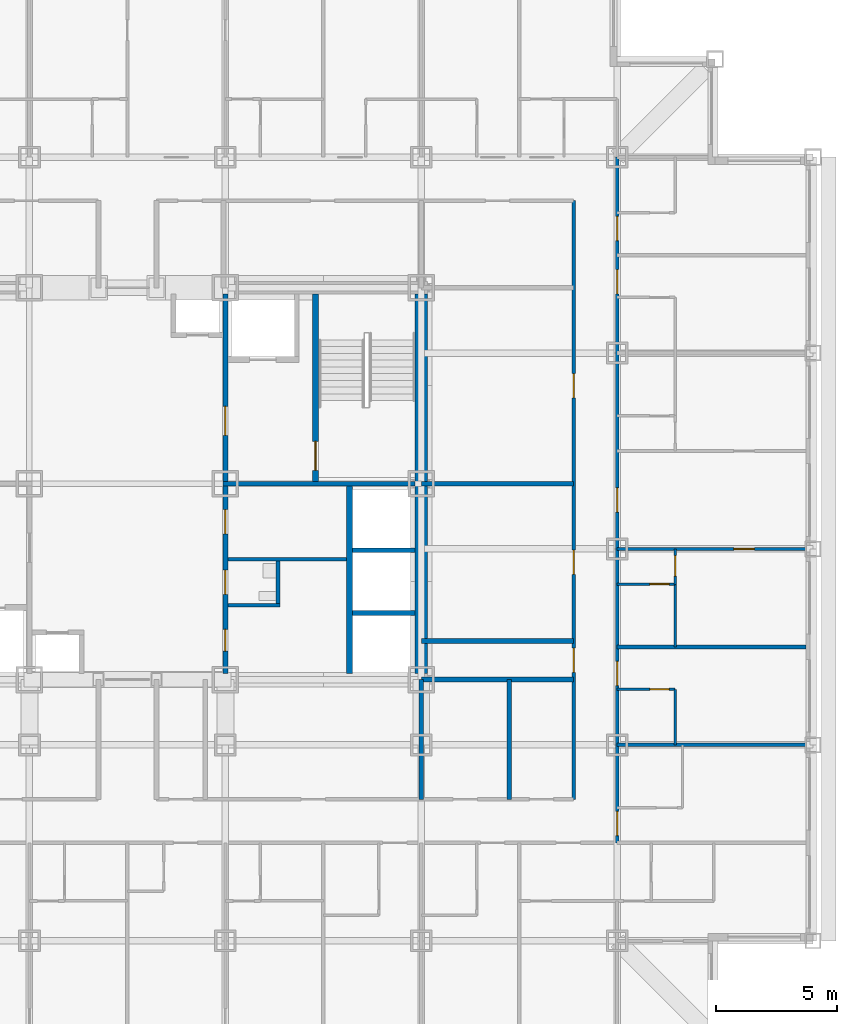
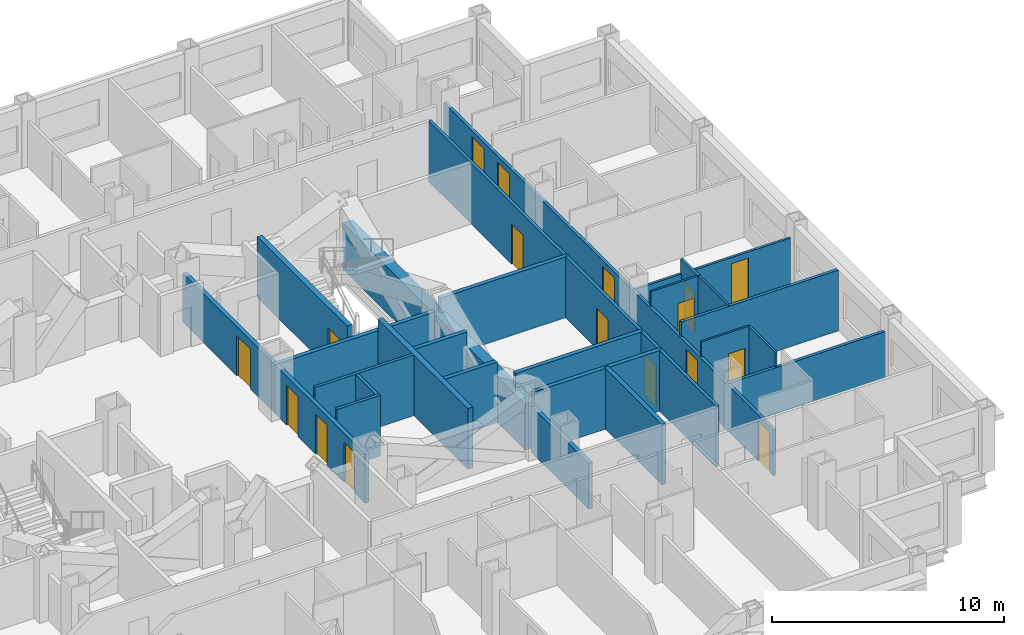
# One storey, part 8 of 14: 26 walls, 17 doors, 17 openings.
"""IFC4 building model written with IfcOpenShell, lengths in metres."""

from ifc_helpers import new_model, si_unit, direction, frame, frame_2d, origin, place, context, subcontext, project, spatial, rectangle, extrude, material, layer, layer_set, type_object, element, fill, save


model = new_model("IFC4")

# Units and contexts
model_context = context("Model", 3, precision=1e-05, world=origin(), true_north=direction((0.0, 1.0)))
body_context = subcontext(model_context, "Body", "Model", "MODEL_VIEW")
ifc_project = project(units=[si_unit("LENGTHUNIT", "METRE"), si_unit("AREAUNIT", "SQUARE_METRE"), si_unit("VOLUMEUNIT", "CUBIC_METRE"), si_unit("PLANEANGLEUNIT", "RADIAN"), si_unit("MASSUNIT", "GRAM", prefix="KILO")], contexts=[model_context])

# Site, building, storey
site_placement = place(None, origin())
site = spatial("IfcSite", under=ifc_project, at=site_placement, CompositionType="ELEMENT")
building_placement = place(site_placement, origin())
building = spatial("IfcBuilding", under=site, at=building_placement, Name="Kopane Lantern Tower", CompositionType="ELEMENT")
storey_placement = place(building_placement, frame((0.0, 0.0, 151.0)))
storey = spatial("IfcBuildingStorey", under=building, at=storey_placement, Name="L39", CompositionType="ELEMENT", Elevation=151.0)

# Wall, opening, door
ifc_material_1 = material(Name="Gypsum board on steel studs", Category="steel")
ifc_layer_1 = layer(ifc_material_1, 0.1201171875)
ifc_layer_set_1 = layer_set([ifc_layer_1], Name="APARTMENT INTERNAL WALL 120")
wall_type_1 = type_object("IfcWallType", Name="APARTMENT INTERNAL WALL 120", PredefinedType="PARTITIONING", material=ifc_layer_set_1)
wall_1_placement = place(storey_placement, frame((48.60009765625, 29.699951171875, 0.0), z_axis=(0.0, 0.0, 1.0), x_axis=(1.0, 0.0, 0.0)))
wall_1 = element("IfcWall", 1, at=wall_1_placement, inside=storey, type_object=wall_type_1, Name="Apartment Internal Wall 120 L39", PredefinedType="PARTITIONING", context=body_context, shape_type="SweptSolid", body=[
    extrude(rectangle(XDim=7.7998046875, YDim=0.1201171875, at=frame_2d((3.89990234375, 0.0))), origin(), (0.0, 0.0, 1.0), 2.420166015625),
])
opening_1_placement = place(wall_1_placement, frame((4.824951171875, 0.0, 0.0)))
opening_1 = element("IfcOpeningElement", 2, at=opening_1_placement, cuts=wall_1, Name="Opening L39-069", PredefinedType="OPENING", context=body_context, shape_type="SweptSolid", body=[
    extrude(rectangle(XDim=0.85009765625, YDim=2.10009765625, at=frame_2d((0.425048828125, 1.050048828125))), frame((0.0, 0.070068359375, 0.0), z_axis=(0.0, -1.0, 0.0), x_axis=(1.0, 0.0, 0.0)), (0.0, 0.0, 1.0), 0.14013671875),
])
ifc_material_2 = material(Name="Timber door set", Category="wood")
door_type_1 = type_object("IfcDoorType", Name="DOOR D4 850x2100", OperationType="SINGLE_SWING_LEFT", PredefinedType="DOOR", material=ifc_material_2)
door_1_placement = place(opening_1_placement, origin())
door_1 = element("IfcDoor", 3, at=door_1_placement, inside=storey, type_object=door_type_1, Name="Door L39-069", OperationType="SINGLE_SWING_RIGHT", OverallHeight=2.10009765625, OverallWidth=0.85009765625, PredefinedType="DOOR", context=body_context, shape_type="SweptSolid", body=[
    extrude(rectangle(XDim=0.85009765625, YDim=2.10009765625, at=frame_2d((0.425048828125, 1.050048828125))), frame((0.0, 0.02490234375, 0.0), z_axis=(0.0, -1.0, 0.0), x_axis=(1.0, 0.0, 0.0)), (0.0, 0.0, 1.0), 0.050048828125),
])
fill(opening_1, door_1)

wall_2_placement = place(storey_placement, frame((51.0, 29.699951171875, 0.0), z_axis=(0.0, 0.0, 1.0), x_axis=(0.0, -1.0, 0.0)))
wall_2 = element("IfcWall", 4, at=wall_2_placement, inside=storey, type_object=wall_type_1, Name="Apartment Internal Wall 120 L39", PredefinedType="PARTITIONING", context=body_context, shape_type="SweptSolid", body=[
    extrude(rectangle(XDim=1.4599609375, YDim=0.1201171875, at=frame_2d((0.72998046875, 0.0))), origin(), (0.0, 0.0, 1.0), 3.18994140625),
])
opening_2_placement = place(wall_2_placement, frame((0.27490234375, 0.0, 0.0)))
opening_2 = element("IfcOpeningElement", 5, at=opening_2_placement, cuts=wall_2, Name="Opening L39-101", PredefinedType="OPENING", context=body_context, shape_type="SweptSolid", body=[
    extrude(rectangle(XDim=0.85009765625, YDim=2.10009765625, at=frame_2d((0.425048828125, 1.050048828125))), frame((0.0, 0.070068359375, 0.0), z_axis=(0.0, -1.0, 0.0), x_axis=(1.0, 0.0, 0.0)), (0.0, 0.0, 1.0), 0.14013671875),
])
door_2_placement = place(opening_2_placement, origin())
door_2 = element("IfcDoor", 6, at=door_2_placement, inside=storey, type_object=door_type_1, Name="Door L39-101", OperationType="SINGLE_SWING_LEFT", OverallHeight=2.10009765625, OverallWidth=0.85009765625, PredefinedType="DOOR", context=body_context, shape_type="SweptSolid", body=[
    extrude(rectangle(XDim=0.85009765625, YDim=2.10009765625, at=frame_2d((0.425048828125, 1.050048828125))), frame((0.0, 0.02490234375, 0.0), z_axis=(0.0, -1.0, 0.0), x_axis=(1.0, 0.0, 0.0)), (0.0, 0.0, 1.0), 0.050048828125),
])
fill(opening_2, door_2)

# Wall
ifc_material_3 = material(Name="Moisture-resistant board on steel studs", Category="steel")
ifc_layer_2 = layer(ifc_material_3, 0.10009765625)
ifc_layer_set_2 = layer_set([ifc_layer_2], Name="BATHROOM WALL 100")
wall_type_2 = type_object("IfcWallType", Name="BATHROOM WALL 100", PredefinedType="PARTITIONING", material=ifc_layer_set_2)
wall_3_placement = place(storey_placement, frame((51.0, 21.60009765625, 0.0), z_axis=(0.0, 0.0, 1.0), x_axis=(0.0, 1.0, 0.0)))
element("IfcWall", 7, at=wall_3_placement, inside=storey, type_object=wall_type_2, Name="Bathroom Wall 100 L39", PredefinedType="PARTITIONING", context=body_context, shape_type="SweptSolid", body=[
    extrude(rectangle(XDim=2.2998046875, YDim=0.10009765625, at=frame_2d((1.14990234375, 0.0))), origin(), (0.0, 0.0, 1.0), 3.18994140625),
])

# Wall, opening, door
wall_4_placement = place(storey_placement, frame((48.60009765625, 23.89990234375, 0.0), z_axis=(0.0, 0.0, 1.0), x_axis=(1.0, 0.0, 0.0)))
wall_4 = element("IfcWall", 8, at=wall_4_placement, inside=storey, type_object=wall_type_2, Name="Bathroom Wall 100 L39", PredefinedType="PARTITIONING", context=body_context, shape_type="SweptSolid", body=[
    extrude(rectangle(XDim=2.39990234375, YDim=0.10009765625, at=frame_2d((1.199951171875, 0.0))), origin(), (0.0, 0.0, 1.0), 3.18994140625),
])
opening_3_placement = place(wall_4_placement, frame((1.35009765625, 0.0, 0.0)))
opening_3 = element("IfcOpeningElement", 9, at=opening_3_placement, cuts=wall_4, Name="Opening L39-065", PredefinedType="OPENING", context=body_context, shape_type="SweptSolid", body=[
    extrude(rectangle(XDim=0.800048828125, YDim=2.10009765625, at=frame_2d((0.39990234375, 1.050048828125))), frame((0.0, 0.06005859375, 0.0), z_axis=(0.0, -1.0, 0.0), x_axis=(1.0, 0.0, 0.0)), (0.0, 0.0, 1.0), 0.1201171875),
])
ifc_material_4 = material(Name="Timber door set", Category="wood")
door_type_2 = type_object("IfcDoorType", Name="DOOR D2 800x2100", OperationType="SINGLE_SWING_LEFT", PredefinedType="DOOR", material=ifc_material_4)
door_3_placement = place(opening_3_placement, origin())
door_3 = element("IfcDoor", 10, at=door_3_placement, inside=storey, type_object=door_type_2, Name="Door L39-065", OperationType="SINGLE_SWING_LEFT", OverallHeight=2.10009765625, OverallWidth=0.800048828125, PredefinedType="DOOR", context=body_context, shape_type="SweptSolid", body=[
    extrude(rectangle(XDim=0.800048828125, YDim=2.10009765625, at=frame_2d((0.39990234375, 1.050048828125))), frame((0.0, 0.02490234375, 0.0), z_axis=(0.0, -1.0, 0.0), x_axis=(1.0, 0.0, 0.0)), (0.0, 0.0, 1.0), 0.050048828125),
])
fill(opening_3, door_3)

# Wall
wall_5_placement = place(storey_placement, frame((51.0, 25.64990234375, 0.0), z_axis=(0.0, 0.0, 1.0), x_axis=(0.0, 1.0, 0.0)))
element("IfcWall", 11, at=wall_5_placement, inside=storey, type_object=wall_type_2, Name="Bathroom Wall 100 L39", PredefinedType="PARTITIONING", context=body_context, shape_type="SweptSolid", body=[
    extrude(rectangle(XDim=2.60009765625, YDim=0.10009765625, at=frame_2d((1.300048828125, 0.0))), origin(), (0.0, 0.0, 1.0), 3.18994140625),
])

# Wall, opening, door
wall_6_placement = place(storey_placement, frame((48.60009765625, 28.25, 0.0), z_axis=(0.0, 0.0, 1.0), x_axis=(1.0, 0.0, 0.0)))
wall_6 = element("IfcWall", 12, at=wall_6_placement, inside=storey, type_object=wall_type_2, Name="Bathroom Wall 100 L39", PredefinedType="PARTITIONING", context=body_context, shape_type="SweptSolid", body=[
    extrude(rectangle(XDim=2.39990234375, YDim=0.10009765625, at=frame_2d((1.199951171875, 0.0))), origin(), (0.0, 0.0, 1.0), 3.18994140625),
])
opening_4_placement = place(wall_6_placement, frame((1.35009765625, 0.0, 0.0)))
opening_4 = element("IfcOpeningElement", 13, at=opening_4_placement, cuts=wall_6, Name="Opening L39-068", PredefinedType="OPENING", context=body_context, shape_type="SweptSolid", body=[
    extrude(rectangle(XDim=0.800048828125, YDim=2.10009765625, at=frame_2d((0.39990234375, 1.050048828125))), frame((0.0, 0.06005859375, 0.0), z_axis=(0.0, -1.0, 0.0), x_axis=(1.0, 0.0, 0.0)), (0.0, 0.0, 1.0), 0.1201171875),
])
door_4_placement = place(opening_4_placement, origin())
door_4 = element("IfcDoor", 14, at=door_4_placement, inside=storey, type_object=door_type_2, Name="Door L39-068", OperationType="SINGLE_SWING_RIGHT", OverallHeight=2.10009765625, OverallWidth=0.800048828125, PredefinedType="DOOR", context=body_context, shape_type="SweptSolid", body=[
    extrude(rectangle(XDim=0.800048828125, YDim=2.10009765625, at=frame_2d((0.39990234375, 1.050048828125))), frame((0.0, 0.02490234375, 0.0), z_axis=(0.0, -1.0, 0.0), x_axis=(1.0, 0.0, 0.0)), (0.0, 0.0, 1.0), 0.050048828125),
])
fill(opening_4, door_4)

# Walls
ifc_material_5 = material(Name="Gypsum shaft wall EI 120", Category="gypsum")
ifc_layer_3 = layer(ifc_material_5, 0.5)
ifc_layer_set_3 = layer_set([ifc_layer_3], Name="CORE PERIMETER WALL 500 EI 120")
wall_type_3 = type_object("IfcWallType", Name="CORE PERIMETER WALL 500 EI 120", PredefinedType="SOLIDWALL", material=ifc_layer_set_3)
wall_7_placement = place(storey_placement, frame((40.5, 24.550048828125, 0.0), z_axis=(0.0, 0.0, 1.0), x_axis=(0.0, 1.0, 0.0)))
element("IfcWall", 15, at=wall_7_placement, inside=storey, type_object=wall_type_3, Name="Core shaft wall L39 PE", PredefinedType="SOLIDWALL", context=body_context, shape_type="SweptSolid", body=[
    extrude(rectangle(XDim=15.699951171875, YDim=0.5, at=frame_2d((7.85009765625, 0.0))), origin(), (0.0, 0.0, 1.0), 2.420166015625),
])
ifc_material_6 = material(Name="Gypsum partition EI 60", Category="gypsum")
ifc_layer_4 = layer(ifc_material_6, 0.14990234375)
ifc_layer_set_4 = layer_set([ifc_layer_4], Name="CORE ROOM PARTITION 150 EI 60")
wall_type_4 = type_object("IfcWallType", Name="CORE ROOM PARTITION 150 EI 60", PredefinedType="PARTITIONING", material=ifc_layer_set_4)
wall_8_placement = place(storey_placement, frame((32.5, 27.375, 0.0), z_axis=(0.0, 0.0, 1.0), x_axis=(1.0, 0.0, 0.0)))
element("IfcWall", 16, at=wall_8_placement, inside=storey, type_object=wall_type_4, Name="Core room partition L39 E1", PredefinedType="PARTITIONING", context=body_context, shape_type="SweptSolid", body=[
    extrude(rectangle(XDim=2.14990234375, YDim=0.14990234375, at=frame_2d((1.074951171875, 0.0))), origin(), (0.0, 0.0, 1.0), 3.18994140625),
])
wall_9_placement = place(storey_placement, frame((32.5, 29.27490234375, 0.0), z_axis=(0.0, 0.0, 1.0), x_axis=(1.0, 0.0, 0.0)))
element("IfcWall", 17, at=wall_9_placement, inside=storey, type_object=wall_type_4, Name="Core room partition L39 E2", PredefinedType="PARTITIONING", context=body_context, shape_type="SweptSolid", body=[
    extrude(rectangle(XDim=4.89990234375, YDim=0.14990234375, at=frame_2d((2.449951171875, 0.0))), origin(), (0.0, 0.0, 1.0), 3.18994140625),
])
wall_10_placement = place(storey_placement, frame((34.574951171875, 27.449951171875, 0.0), z_axis=(0.0, 0.0, 1.0), x_axis=(0.0, 1.0, 0.0)))
element("IfcWall", 18, at=wall_10_placement, inside=storey, type_object=wall_type_4, Name="Core room partition L39 EB1", PredefinedType="PARTITIONING", context=body_context, shape_type="SweptSolid", body=[
    extrude(rectangle(XDim=1.75, YDim=0.14990234375, at=frame_2d((0.875, 0.0))), origin(), (0.0, 0.0, 1.0), 3.18994140625),
])

# Wall, openings, doors
ifc_material_7 = material(Name="Gypsum partition EI 60", Category="gypsum")
ifc_layer_5 = layer(ifc_material_7, 0.199951171875)
ifc_layer_set_5 = layer_set([ifc_layer_5], Name="CORE ROOM WALL 200 EI 60")
wall_type_5 = type_object("IfcWallType", Name="CORE ROOM WALL 200 EI 60", PredefinedType="PARTITIONING", material=ifc_layer_set_5)
wall_11_placement = place(storey_placement, frame((32.39990234375, 24.550048828125, 0.0), z_axis=(0.0, 0.0, 1.0), x_axis=(0.0, 1.0, 0.0)))
wall_11 = element("IfcWall", 19, at=wall_11_placement, inside=storey, type_object=wall_type_5, Name="Core room wall L39 XE", PredefinedType="PARTITIONING", context=body_context, shape_type="SweptSolid", body=[
    extrude(rectangle(XDim=7.75, YDim=0.199951171875, at=frame_2d((3.875, 0.0))), origin(), (0.0, 0.0, 1.0), 2.577880859375),
])
opening_5_placement = place(wall_11_placement, frame((0.925048828125, 0.0, 0.0)))
opening_5 = element("IfcOpeningElement", 20, at=opening_5_placement, cuts=wall_11, Name="Opening 39.C20", PredefinedType="OPENING", context=body_context, shape_type="SweptSolid", body=[
    extrude(rectangle(XDim=0.89990234375, YDim=2.10009765625, at=frame_2d((0.449951171875, 1.050048828125))), frame((0.0, 0.10986328125, 0.0), z_axis=(0.0, -1.0, 0.0), x_axis=(1.0, 0.0, 0.0)), (0.0, 0.0, 1.0), 0.219970703125),
])
opening_6_placement = place(wall_11_placement, frame((3.27490234375, 0.0, 0.0)))
opening_6 = element("IfcOpeningElement", 21, at=opening_6_placement, cuts=wall_11, Name="Opening 39.C21", PredefinedType="OPENING", context=body_context, shape_type="SweptSolid", body=[
    extrude(rectangle(XDim=1.0, YDim=2.10009765625, at=frame_2d((0.5, 1.050048828125))), frame((0.0, 0.10986328125, 0.0), z_axis=(0.0, -1.0, 0.0), x_axis=(1.0, 0.0, 0.0)), (0.0, 0.0, 1.0), 0.219970703125),
])
opening_7_placement = place(wall_11_placement, frame((5.77490234375, 0.0, 0.0)))
opening_7 = element("IfcOpeningElement", 22, at=opening_7_placement, cuts=wall_11, Name="Opening 39.C22", PredefinedType="OPENING", context=body_context, shape_type="SweptSolid", body=[
    extrude(rectangle(XDim=1.0, YDim=2.10009765625, at=frame_2d((0.5, 1.050048828125))), frame((0.0, 0.10986328125, 0.0), z_axis=(0.0, -1.0, 0.0), x_axis=(1.0, 0.0, 0.0)), (0.0, 0.0, 1.0), 0.219970703125),
])
ifc_material_8 = material(Name="Steel door set", Category="steel")
door_type_3 = type_object("IfcDoorType", Name="CORE ROOM DOOR 1000x2100 FD30S", OperationType="SINGLE_SWING_RIGHT", PredefinedType="DOOR", material=ifc_material_8)
door_5_placement = place(opening_6_placement, origin())
door_5 = element("IfcDoor", 23, at=door_5_placement, inside=storey, type_object=door_type_3, Name="Door Staff WC L39", OperationType="SINGLE_SWING_LEFT", OverallHeight=2.10009765625, OverallWidth=1.0, PredefinedType="DOOR", context=body_context, shape_type="SweptSolid", body=[
    extrude(rectangle(XDim=1.0, YDim=2.10009765625, at=frame_2d((0.5, 1.050048828125))), frame((0.0, 0.02490234375, 0.0), z_axis=(0.0, -1.0, 0.0), x_axis=(1.0, 0.0, 0.0)), (0.0, 0.0, 1.0), 0.050048828125),
])
fill(opening_6, door_5)
door_6_placement = place(opening_7_placement, origin())
door_6 = element("IfcDoor", 24, at=door_6_placement, inside=storey, type_object=door_type_3, Name="Door Butler pantry L39", OperationType="SINGLE_SWING_RIGHT", OverallHeight=2.10009765625, OverallWidth=1.0, PredefinedType="DOOR", context=body_context, shape_type="SweptSolid", body=[
    extrude(rectangle(XDim=1.0, YDim=2.10009765625, at=frame_2d((0.5, 1.050048828125))), frame((0.0, 0.02490234375, 0.0), z_axis=(0.0, -1.0, 0.0), x_axis=(1.0, 0.0, 0.0)), (0.0, 0.0, 1.0), 0.050048828125),
])
fill(opening_7, door_6)
ifc_material_9 = material(Name="Steel door set", Category="steel")
door_type_4 = type_object("IfcDoorType", Name="CORE ROOM DOOR 900x2100 FD60", OperationType="SINGLE_SWING_LEFT", PredefinedType="DOOR", material=ifc_material_9)
door_7_placement = place(opening_5_placement, origin())
door_7 = element("IfcDoor", 25, at=door_7_placement, inside=storey, type_object=door_type_4, Name="Door Luggage store L39", OperationType="SINGLE_SWING_LEFT", OverallHeight=2.10009765625, OverallWidth=0.89990234375, PredefinedType="DOOR", context=body_context, shape_type="SweptSolid", body=[
    extrude(rectangle(XDim=0.89990234375, YDim=2.10009765625, at=frame_2d((0.449951171875, 1.050048828125))), frame((0.0, 0.02490234375, 0.0), z_axis=(0.0, -1.0, 0.0), x_axis=(1.0, 0.0, 0.0)), (0.0, 0.0, 1.0), 0.050048828125),
])
fill(opening_5, door_7)

# Wall
ifc_material_10 = material(Name="Gypsum shaft wall EI 120", Category="gypsum")
ifc_layer_6 = layer(ifc_material_10, 0.25)
ifc_layer_set_6 = layer_set([ifc_layer_6], Name="CORE SHAFT WALL 250 EI 120")
wall_type_6 = type_object("IfcWallType", Name="CORE SHAFT WALL 250 EI 120", PredefinedType="SOLIDWALL", material=ifc_layer_set_6)
wall_12_placement = place(storey_placement, frame((37.52490234375, 24.550048828125, 0.0), z_axis=(0.0, 0.0, 1.0), x_axis=(0.0, 1.0, 0.0)))
element("IfcWall", 26, at=wall_12_placement, inside=storey, type_object=wall_type_6, Name="Core shaft wall L39 XLR", PredefinedType="SOLIDWALL", context=body_context, shape_type="SweptSolid", body=[
    extrude(rectangle(XDim=7.75, YDim=0.25, at=frame_2d((3.875, 0.0))), origin(), (0.0, 0.0, 1.0), 3.18994140625),
])

# Wall, opening, door
wall_13_placement = place(storey_placement, frame((36.125, 32.5, 0.0), z_axis=(0.0, 0.0, 1.0), x_axis=(0.0, 1.0, 0.0)))
wall_13 = element("IfcWall", 27, at=wall_13_placement, inside=storey, type_object=wall_type_6, Name="Core shaft wall L39 XST2", PredefinedType="SOLIDWALL", context=body_context, shape_type="SweptSolid", body=[
    extrude(rectangle(XDim=7.75, YDim=0.25, at=frame_2d((3.875, 0.0))), origin(), (0.0, 0.0, 1.0), 3.18994140625),
])
opening_8_placement = place(wall_13_placement, frame((0.449951171875, 0.0, 0.0)))
opening_8 = element("IfcOpeningElement", 28, at=opening_8_placement, cuts=wall_13, Name="Opening 39.SD2", PredefinedType="OPENING", context=body_context, shape_type="SweptSolid", body=[
    extrude(rectangle(XDim=1.199951171875, YDim=2.10009765625, at=frame_2d((0.60009765625, 1.050048828125))), frame((0.0, 0.135009765625, 0.0), z_axis=(0.0, -1.0, 0.0), x_axis=(1.0, 0.0, 0.0)), (0.0, 0.0, 1.0), 0.27001953125),
])
ifc_material_11 = material(Name="Steel door set", Category="steel")
door_type_5 = type_object("IfcDoorType", Name="STAIR DOOR 1200x2100 FD60S", OperationType="SINGLE_SWING_LEFT", PredefinedType="DOOR", material=ifc_material_11)
door_8_placement = place(opening_8_placement, origin())
door_8 = element("IfcDoor", 29, at=door_8_placement, inside=storey, type_object=door_type_5, Name="Stair door ST2 L39", OperationType="SINGLE_SWING_RIGHT", OverallHeight=2.10009765625, OverallWidth=1.199951171875, PredefinedType="DOOR", context=body_context, shape_type="SweptSolid", body=[
    extrude(rectangle(XDim=1.199951171875, YDim=2.10009765625, at=frame_2d((0.60009765625, 1.050048828125))), frame((0.0, 0.02490234375, 0.0), z_axis=(0.0, -1.0, 0.0), x_axis=(1.0, 0.0, 0.0)), (0.0, 0.0, 1.0), 0.050048828125),
])
fill(opening_8, door_8)

# Wall, openings, doors
ifc_material_12 = material(Name="Gypsum board on steel studs", Category="steel")
ifc_layer_7 = layer(ifc_material_12, 0.14990234375)
ifc_layer_set_7 = layer_set([ifc_layer_7], Name="CORRIDOR WALL 150 EI 60")
wall_type_7 = type_object("IfcWallType", Name="CORRIDOR WALL 150 EI 60", PredefinedType="PARTITIONING", material=ifc_layer_set_7)
wall_14_placement = place(storey_placement, frame((48.60009765625, 17.550048828125, 0.0), z_axis=(0.0, 0.0, 1.0), x_axis=(0.0, 1.0, 0.0)))
wall_14 = element("IfcWall", 30, at=wall_14_placement, inside=storey, type_object=wall_type_7, Name="Corridor Wall 150 Ei 60 L39", PredefinedType="PARTITIONING", context=body_context, shape_type="SweptSolid", body=[
    extrude(rectangle(XDim=28.349853515625, YDim=0.14990234375, at=frame_2d((14.1748046875, 0.0))), origin(), (0.0, 0.0, 1.0), 2.420166015625),
])
opening_9_placement = place(wall_14_placement, frame((0.300048828125, 0.0, 0.0)))
opening_9 = element("IfcOpeningElement", 31, at=opening_9_placement, cuts=wall_14, Name="Opening L39-064", PredefinedType="OPENING", context=body_context, shape_type="SweptSolid", body=[
    extrude(rectangle(XDim=1.0, YDim=2.10009765625, at=frame_2d((0.5, 1.050048828125))), frame((0.0, 0.0849609375, 0.0), z_axis=(0.0, -1.0, 0.0), x_axis=(1.0, 0.0, 0.0)), (0.0, 0.0, 1.0), 0.169921875),
])
opening_10_placement = place(wall_14_placement, frame((6.5, 0.0, 0.0)))
opening_10 = element("IfcOpeningElement", 32, at=opening_10_placement, cuts=wall_14, Name="Opening L39-066", PredefinedType="OPENING", context=body_context, shape_type="SweptSolid", body=[
    extrude(rectangle(XDim=1.0, YDim=2.10009765625, at=frame_2d((0.5, 1.050048828125))), frame((0.0, 0.0849609375, 0.0), z_axis=(0.0, -1.0, 0.0), x_axis=(1.0, 0.0, 0.0)), (0.0, 0.0, 1.0), 0.169921875),
])
opening_11_placement = place(wall_14_placement, frame((13.675048828125, 0.0, 0.0)))
opening_11 = element("IfcOpeningElement", 33, at=opening_11_placement, cuts=wall_14, Name="Opening L39-067", PredefinedType="OPENING", context=body_context, shape_type="SweptSolid", body=[
    extrude(rectangle(XDim=1.0, YDim=2.10009765625, at=frame_2d((0.5, 1.050048828125))), frame((0.0, 0.0849609375, 0.0), z_axis=(0.0, -1.0, 0.0), x_axis=(1.0, 0.0, 0.0)), (0.0, 0.0, 1.0), 0.169921875),
])
opening_12_placement = place(wall_14_placement, frame((22.699951171875, 0.0, 0.0)))
opening_12 = element("IfcOpeningElement", 34, at=opening_12_placement, cuts=wall_14, Name="Opening L39-073", PredefinedType="OPENING", context=body_context, shape_type="SweptSolid", body=[
    extrude(rectangle(XDim=1.0, YDim=2.10009765625, at=frame_2d((0.5, 1.050048828125))), frame((0.0, 0.0849609375, 0.0), z_axis=(0.0, -1.0, 0.0), x_axis=(1.0, 0.0, 0.0)), (0.0, 0.0, 1.0), 0.169921875),
])
opening_13_placement = place(wall_14_placement, frame((24.89990234375, 0.0, 0.0)))
opening_13 = element("IfcOpeningElement", 35, at=opening_13_placement, cuts=wall_14, Name="Opening L39-075", PredefinedType="OPENING", context=body_context, shape_type="SweptSolid", body=[
    extrude(rectangle(XDim=1.0, YDim=2.10009765625, at=frame_2d((0.5, 1.050048828125))), frame((0.0, 0.0849609375, 0.0), z_axis=(0.0, -1.0, 0.0), x_axis=(1.0, 0.0, 0.0)), (0.0, 0.0, 1.0), 0.169921875),
])
ifc_material_13 = material(Name="Steel door set", Category="steel")
door_type_6 = type_object("IfcDoorType", Name="DOOR D1 1000x2100 FD30S", OperationType="SINGLE_SWING_LEFT", PredefinedType="DOOR", material=ifc_material_13)
door_9_placement = place(opening_9_placement, origin())
door_9 = element("IfcDoor", 36, at=door_9_placement, inside=storey, type_object=door_type_6, Name="Door L39-064", OperationType="SINGLE_SWING_LEFT", OverallHeight=2.10009765625, OverallWidth=1.0, PredefinedType="DOOR", context=body_context, shape_type="SweptSolid", body=[
    extrude(rectangle(XDim=1.0, YDim=2.10009765625, at=frame_2d((0.5, 1.050048828125))), frame((0.0, 0.02490234375, 0.0), z_axis=(0.0, -1.0, 0.0), x_axis=(1.0, 0.0, 0.0)), (0.0, 0.0, 1.0), 0.050048828125),
])
fill(opening_9, door_9)
door_10_placement = place(opening_10_placement, origin())
door_10 = element("IfcDoor", 37, at=door_10_placement, inside=storey, type_object=door_type_6, Name="Door L39-066", OperationType="SINGLE_SWING_RIGHT", OverallHeight=2.10009765625, OverallWidth=1.0, PredefinedType="DOOR", context=body_context, shape_type="SweptSolid", body=[
    extrude(rectangle(XDim=1.0, YDim=2.10009765625, at=frame_2d((0.5, 1.050048828125))), frame((0.0, 0.02490234375, 0.0), z_axis=(0.0, -1.0, 0.0), x_axis=(1.0, 0.0, 0.0)), (0.0, 0.0, 1.0), 0.050048828125),
])
fill(opening_10, door_10)
door_11_placement = place(opening_11_placement, origin())
door_11 = element("IfcDoor", 38, at=door_11_placement, inside=storey, type_object=door_type_6, Name="Door L39-067", OperationType="SINGLE_SWING_RIGHT", OverallHeight=2.10009765625, OverallWidth=1.0, PredefinedType="DOOR", context=body_context, shape_type="SweptSolid", body=[
    extrude(rectangle(XDim=1.0, YDim=2.10009765625, at=frame_2d((0.5, 1.050048828125))), frame((0.0, 0.02490234375, 0.0), z_axis=(0.0, -1.0, 0.0), x_axis=(1.0, 0.0, 0.0)), (0.0, 0.0, 1.0), 0.050048828125),
])
fill(opening_11, door_11)
door_12_placement = place(opening_12_placement, origin())
door_12 = element("IfcDoor", 39, at=door_12_placement, inside=storey, type_object=door_type_6, Name="Door L39-073", OperationType="SINGLE_SWING_RIGHT", OverallHeight=2.10009765625, OverallWidth=1.0, PredefinedType="DOOR", context=body_context, shape_type="SweptSolid", body=[
    extrude(rectangle(XDim=1.0, YDim=2.10009765625, at=frame_2d((0.5, 1.050048828125))), frame((0.0, 0.02490234375, 0.0), z_axis=(0.0, -1.0, 0.0), x_axis=(1.0, 0.0, 0.0)), (0.0, 0.0, 1.0), 0.050048828125),
])
fill(opening_12, door_12)
door_13_placement = place(opening_13_placement, origin())
door_13 = element("IfcDoor", 40, at=door_13_placement, inside=storey, type_object=door_type_6, Name="Door L39-075", OperationType="SINGLE_SWING_LEFT", OverallHeight=2.10009765625, OverallWidth=1.0, PredefinedType="DOOR", context=body_context, shape_type="SweptSolid", body=[
    extrude(rectangle(XDim=1.0, YDim=2.10009765625, at=frame_2d((0.5, 1.050048828125))), frame((0.0, 0.02490234375, 0.0), z_axis=(0.0, -1.0, 0.0), x_axis=(1.0, 0.0, 0.0)), (0.0, 0.0, 1.0), 0.050048828125),
])
fill(opening_13, door_13)

wall_15_placement = place(storey_placement, frame((46.800048828125, 19.35009765625, 0.0), z_axis=(0.0, 0.0, 1.0), x_axis=(0.0, 1.0, 0.0)))
wall_15 = element("IfcWall", 41, at=wall_15_placement, inside=storey, type_object=wall_type_7, Name="Corridor Wall 150 Ei 60 L39", PredefinedType="PARTITIONING", context=body_context, shape_type="SweptSolid", body=[
    extrude(rectangle(XDim=24.75, YDim=0.14990234375, at=frame_2d((12.375, 0.0))), origin(), (0.0, 0.0, 1.0), 3.18994140625),
])
opening_14_placement = place(wall_15_placement, frame((5.25, 0.0, 0.0)))
opening_14 = element("IfcOpeningElement", 42, at=opening_14_placement, cuts=wall_15, Name="Opening L39-005", PredefinedType="OPENING", context=body_context, shape_type="SweptSolid", body=[
    extrude(rectangle(XDim=1.0, YDim=2.10009765625, at=frame_2d((0.5, 1.050048828125))), frame((0.0, 0.0849609375, 0.0), z_axis=(0.0, -1.0, 0.0), x_axis=(1.0, 0.0, 0.0)), (0.0, 0.0, 1.0), 0.169921875),
])
opening_15_placement = place(wall_15_placement, frame((9.300048828125, 0.0, 0.0)))
opening_15 = element("IfcOpeningElement", 43, at=opening_15_placement, cuts=wall_15, Name="Opening L39-006", PredefinedType="OPENING", context=body_context, shape_type="SweptSolid", body=[
    extrude(rectangle(XDim=1.0, YDim=2.10009765625, at=frame_2d((0.5, 1.050048828125))), frame((0.0, 0.0849609375, 0.0), z_axis=(0.0, -1.0, 0.0), x_axis=(1.0, 0.0, 0.0)), (0.0, 0.0, 1.0), 0.169921875),
])
opening_16_placement = place(wall_15_placement, frame((16.60009765625, 0.0, 0.0)))
opening_16 = element("IfcOpeningElement", 44, at=opening_16_placement, cuts=wall_15, Name="Opening L39-007", PredefinedType="OPENING", context=body_context, shape_type="SweptSolid", body=[
    extrude(rectangle(XDim=1.0, YDim=2.10009765625, at=frame_2d((0.5, 1.050048828125))), frame((0.0, 0.0849609375, 0.0), z_axis=(0.0, -1.0, 0.0), x_axis=(1.0, 0.0, 0.0)), (0.0, 0.0, 1.0), 0.169921875),
])
ifc_material_14 = material(Name="Steel door set", Category="steel")
door_type_7 = type_object("IfcDoorType", Name="DOOR D5 1000x2100 FD60", OperationType="SINGLE_SWING_LEFT", PredefinedType="DOOR", material=ifc_material_14)
door_14_placement = place(opening_14_placement, origin())
door_14 = element("IfcDoor", 45, at=door_14_placement, inside=storey, type_object=door_type_7, Name="Door L39-005", OperationType="SINGLE_SWING_LEFT", OverallHeight=2.10009765625, OverallWidth=1.0, PredefinedType="DOOR", context=body_context, shape_type="SweptSolid", body=[
    extrude(rectangle(XDim=1.0, YDim=2.10009765625, at=frame_2d((0.5, 1.050048828125))), frame((0.0, 0.02490234375, 0.0), z_axis=(0.0, -1.0, 0.0), x_axis=(1.0, 0.0, 0.0)), (0.0, 0.0, 1.0), 0.050048828125),
])
fill(opening_14, door_14)
door_15_placement = place(opening_15_placement, origin())
door_15 = element("IfcDoor", 46, at=door_15_placement, inside=storey, type_object=door_type_7, Name="Door L39-006", OperationType="SINGLE_SWING_RIGHT", OverallHeight=2.10009765625, OverallWidth=1.0, PredefinedType="DOOR", context=body_context, shape_type="SweptSolid", body=[
    extrude(rectangle(XDim=1.0, YDim=2.10009765625, at=frame_2d((0.5, 1.050048828125))), frame((0.0, 0.02490234375, 0.0), z_axis=(0.0, -1.0, 0.0), x_axis=(1.0, 0.0, 0.0)), (0.0, 0.0, 1.0), 0.050048828125),
])
fill(opening_15, door_15)
door_16_placement = place(opening_16_placement, origin())
door_16 = element("IfcDoor", 47, at=door_16_placement, inside=storey, type_object=door_type_7, Name="Door L39-007", OperationType="SINGLE_SWING_LEFT", OverallHeight=2.10009765625, OverallWidth=1.0, PredefinedType="DOOR", context=body_context, shape_type="SweptSolid", body=[
    extrude(rectangle(XDim=1.0, YDim=2.10009765625, at=frame_2d((0.5, 1.050048828125))), frame((0.0, 0.02490234375, 0.0), z_axis=(0.0, -1.0, 0.0), x_axis=(1.0, 0.0, 0.0)), (0.0, 0.0, 1.0), 0.050048828125),
])
fill(opening_16, door_16)

# Walls
ifc_material_15 = material(Name="Gypsum board on steel studs", Category="steel")
ifc_layer_8 = layer(ifc_material_15, 0.14990234375)
ifc_layer_set_8 = layer_set([ifc_layer_8], Name="DEMISING WALL 150 EI 60")
wall_type_8 = type_object("IfcWallType", Name="DEMISING WALL 150 EI 60", PredefinedType="PARTITIONING", material=ifc_layer_set_8)
wall_16_placement = place(storey_placement, frame((48.60009765625, 21.60009765625, 0.0), z_axis=(0.0, 0.0, 1.0), x_axis=(1.0, 0.0, 0.0)))
element("IfcWall", 48, at=wall_16_placement, inside=storey, type_object=wall_type_8, Name="Demising Wall 150 Ei 60 L39", PredefinedType="PARTITIONING", context=body_context, shape_type="SweptSolid", body=[
    extrude(rectangle(XDim=7.7998046875, YDim=0.14990234375, at=frame_2d((3.89990234375, 0.0))), origin(), (0.0, 0.0, 1.0), 2.420166015625),
])
wall_17_placement = place(storey_placement, frame((48.60009765625, 25.64990234375, 0.0), z_axis=(0.0, 0.0, 1.0), x_axis=(1.0, 0.0, 0.0)))
element("IfcWall", 49, at=wall_17_placement, inside=storey, type_object=wall_type_8, Name="Demising Wall 150 Ei 60 L39", PredefinedType="PARTITIONING", context=body_context, shape_type="SweptSolid", body=[
    extrude(rectangle(XDim=7.7998046875, YDim=0.14990234375, at=frame_2d((3.89990234375, 0.0))), origin(), (0.0, 0.0, 1.0), 3.18994140625),
])
ifc_material_16 = material(Name="Concrete masonry", Category="masonry")
ifc_layer_9 = layer(ifc_material_16, 0.199951171875)
ifc_layer_set_9 = layer_set([ifc_layer_9], Name="PLANT ROOM WALL 200 EI 120")
wall_type_9 = type_object("IfcWallType", Name="PLANT ROOM WALL 200 EI 120", PredefinedType="SOLIDWALL", material=ifc_layer_set_9)
for number, where, z_axis, x_axis, name in (
    (50, (40.5, 32.39990234375, 0.0), (0.0, 0.0, 1.0), (1.0, 0.0, 0.0), "Plant Room Wall 200 Ei 120 L39"),
    (51, (46.800048828125, 25.89990234375, 0.0), (0.0, 0.0, 1.0), (-1.0, 0.0, 0.0), "Plant Room Wall 200 Ei 120 L39"),
):
    element("IfcWall", number, at=place(storey_placement, frame(where, z_axis=z_axis, x_axis=x_axis)), inside=storey, type_object=wall_type_9, Name=name, PredefinedType="SOLIDWALL", context=body_context, shape_type="SweptSolid", body=[
        extrude(rectangle(XDim=6.300048828125, YDim=0.199951171875, at=frame_2d((3.14990234375, 0.0))), origin(), (0.0, 0.0, 1.0), 3.18994140625),
    ])
wall_18_placement = place(storey_placement, frame((40.5, 19.35009765625, 0.0), z_axis=(0.0, 0.0, 1.0), x_axis=(0.0, 1.0, 0.0)))
element("IfcWall", 52, at=wall_18_placement, inside=storey, type_object=wall_type_9, Name="Plant Room Wall 200 Ei 120 L39", PredefinedType="SOLIDWALL", context=body_context, shape_type="SweptSolid", body=[
    extrude(rectangle(XDim=4.949951171875, YDim=0.199951171875, at=frame_2d((2.47509765625, 0.0))), origin(), (0.0, 0.0, 1.0), 2.420166015625),
])
wall_19_placement = place(storey_placement, frame((44.136474609375, 19.35009765625, 0.0), z_axis=(0.0, 0.0, 1.0), x_axis=(0.0, 1.0, 0.0)))
element("IfcWall", 53, at=wall_19_placement, inside=storey, type_object=wall_type_9, Name="Plant Room Wall 200 Ei 120 L39", PredefinedType="SOLIDWALL", context=body_context, shape_type="SweptSolid", body=[
    extrude(rectangle(XDim=4.949951171875, YDim=0.199951171875, at=frame_2d((2.47509765625, 0.0))), origin(), (0.0, 0.0, 1.0), 3.18994140625),
])
wall_20_placement = place(storey_placement, frame((40.5, 24.300048828125, 0.0), z_axis=(0.0, 0.0, 1.0), x_axis=(1.0, 0.0, 0.0)))
element("IfcWall", 54, at=wall_20_placement, inside=storey, type_object=wall_type_9, Name="Plant Room Wall 200 Ei 120 L39", PredefinedType="SOLIDWALL", context=body_context, shape_type="SweptSolid", body=[
    extrude(rectangle(XDim=6.300048828125, YDim=0.199951171875, at=frame_2d((3.14990234375, 0.0))), origin(), (0.0, 0.0, 1.0), 3.18994140625),
])
ifc_material_17 = material(Name="Gypsum shaft wall EI 120", Category="gypsum")
ifc_layer_10 = layer(ifc_material_17, 0.199951171875)
ifc_layer_set_10 = layer_set([ifc_layer_10], Name="SHAFT WALL 200 EI 120")
wall_type_10 = type_object("IfcWallType", Name="SHAFT WALL 200 EI 120", PredefinedType="SOLIDWALL", material=ifc_layer_set_10)
wall_21_placement = place(storey_placement, frame((32.300048828125, 32.39990234375, 0.0), z_axis=(0.0, 0.0, 1.0), x_axis=(1.0, 0.0, 0.0)))
element("IfcWall", 55, at=wall_21_placement, inside=storey, type_object=wall_type_10, Name="Core shaft wall L39 Y324E", PredefinedType="SOLIDWALL", context=body_context, shape_type="SweptSolid", body=[
    extrude(rectangle(XDim=7.949951171875, YDim=0.199951171875, at=frame_2d((3.97509765625, 0.0))), origin(), (0.0, 0.0, 1.0), 2.577880859375),
])

# Wall, opening, door
wall_22_placement = place(storey_placement, frame((32.39990234375, 32.5, 0.0), z_axis=(0.0, 0.0, 1.0), x_axis=(0.0, 1.0, 0.0)))
wall_22 = element("IfcWall", 56, at=wall_22_placement, inside=storey, type_object=wall_type_10, Name="Core shaft wall L39 X324", PredefinedType="SOLIDWALL", context=body_context, shape_type="SweptSolid", body=[
    extrude(rectangle(XDim=7.75, YDim=0.199951171875, at=frame_2d((3.875, 0.0))), origin(), (0.0, 0.0, 1.0), 2.577880859375),
])
opening_17_placement = place(wall_22_placement, frame((1.89990234375, 0.0, 0.0)))
opening_17 = element("IfcOpeningElement", 57, at=opening_17_placement, cuts=wall_22, Name="Opening 39.FL2", PredefinedType="OPENING", context=body_context, shape_type="SweptSolid", body=[
    extrude(rectangle(XDim=1.199951171875, YDim=2.10009765625, at=frame_2d((0.60009765625, 1.050048828125))), frame((0.0, 0.10986328125, 0.0), z_axis=(0.0, -1.0, 0.0), x_axis=(1.0, 0.0, 0.0)), (0.0, 0.0, 1.0), 0.219970703125),
])
ifc_material_18 = material(Name="Steel door set", Category="steel")
door_type_8 = type_object("IfcDoorType", Name="FIREFIGHTING LOBBY DOOR 1200x2100 FD60S", OperationType="SINGLE_SWING_RIGHT", PredefinedType="DOOR", material=ifc_material_18)
door_17_placement = place(opening_17_placement, origin())
door_17 = element("IfcDoor", 58, at=door_17_placement, inside=storey, type_object=door_type_8, Name="Firefighting lobby door FL2 L39", OperationType="SINGLE_SWING_LEFT", OverallHeight=2.10009765625, OverallWidth=1.199951171875, PredefinedType="DOOR", context=body_context, shape_type="SweptSolid", body=[
    extrude(rectangle(XDim=1.199951171875, YDim=2.10009765625, at=frame_2d((0.60009765625, 1.050048828125))), frame((0.0, 0.02490234375, 0.0), z_axis=(0.0, -1.0, 0.0), x_axis=(1.0, 0.0, 0.0)), (0.0, 0.0, 1.0), 0.050048828125),
])
fill(opening_17, door_17)

# Walls
for number, where, z_axis, x_axis, name in (
    (59, (37.64990234375, 27.050048828125, 0.0), (0.0, 0.0, 1.0), (1.0, 0.0, 0.0), "Core shaft wall L39 YLR12"),
    (60, (37.64990234375, 29.64990234375, 0.0), (0.0, 0.0, 1.0), (1.0, 0.0, 0.0), "Core shaft wall L39 YLR23"),
):
    element("IfcWall", number, at=place(storey_placement, frame(where, z_axis=z_axis, x_axis=x_axis)), inside=storey, type_object=wall_type_10, Name=name, PredefinedType="SOLIDWALL", context=body_context, shape_type="SweptSolid", body=[
        extrude(rectangle(XDim=2.60009765625, YDim=0.199951171875, at=frame_2d((1.300048828125, 0.0))), origin(), (0.0, 0.0, 1.0), 3.18994140625),
    ])

save(model, "model.ifc")
